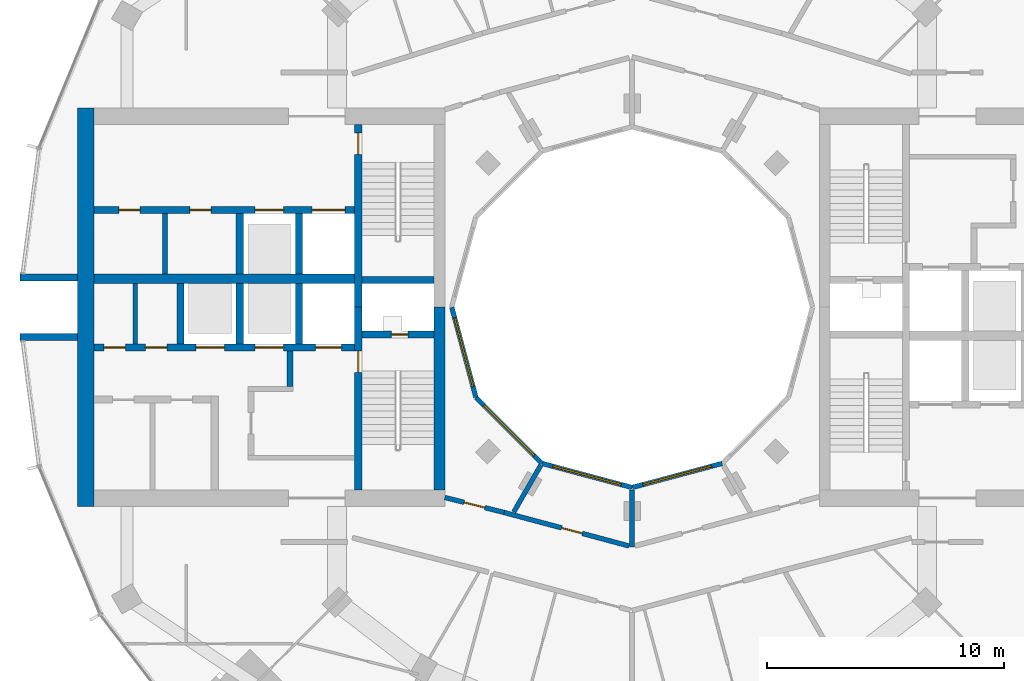
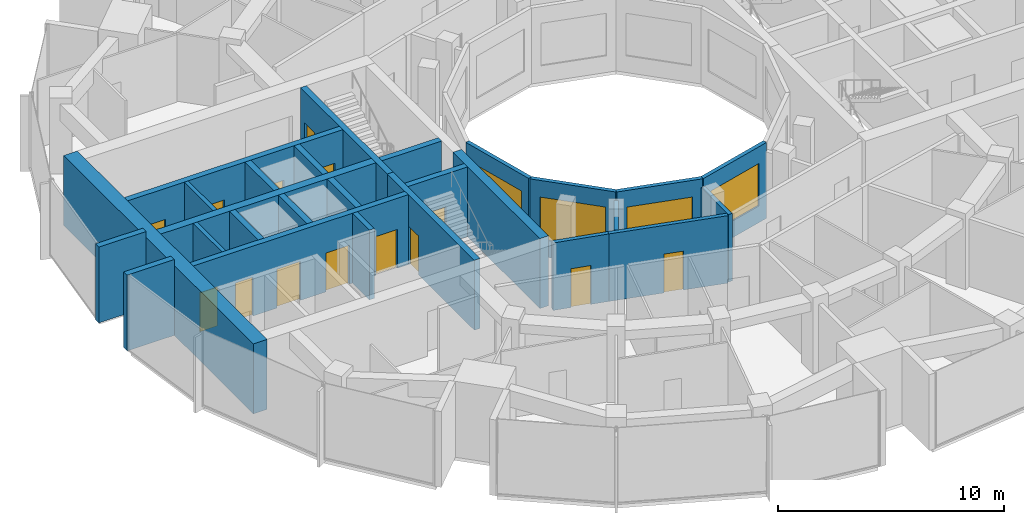
# One storey, part 9 of 15: 27 walls, 14 doors, 4 windows, 18 openings.
"""IFC4 building model written with IfcOpenShell, lengths in metres."""

from ifc_helpers import new_model, si_unit, direction, frame, frame_2d, origin, place, context, subcontext, project, spatial, rectangle, extrude, material, layer, layer_set, type_object, element, fill, save


model = new_model("IFC4")

# Units and contexts
model_context = context("Model", 3, precision=1e-05, world=origin(), true_north=direction((0.0, 1.0)))
body_context = subcontext(model_context, "Body", "Model", "MODEL_VIEW")
ifc_project = project(units=[si_unit("LENGTHUNIT", "METRE"), si_unit("AREAUNIT", "SQUARE_METRE"), si_unit("VOLUMEUNIT", "CUBIC_METRE"), si_unit("PLANEANGLEUNIT", "RADIAN"), si_unit("MASSUNIT", "GRAM", prefix="KILO")], contexts=[model_context])

# Site, building, storey
site_placement = place(None, origin())
site = spatial("IfcSite", under=ifc_project, at=site_placement, CompositionType="ELEMENT")
building_placement = place(site_placement, origin())
building = spatial("IfcBuilding", under=site, at=building_placement, Name="Torre Brocal", CompositionType="ELEMENT")
storey_placement = place(building_placement, frame((0.0, 0.0, 165.89990234375)))
storey = spatial("IfcBuildingStorey", under=building, at=storey_placement, Name="L38", CompositionType="ELEMENT", Elevation=165.89990234375)

# Walls
ifc_material_1 = material(Name="Masonry block", Category="masonry")
ifc_layer_1 = layer(ifc_material_1, 0.199951171875)
ifc_layer_set_1 = layer_set([ifc_layer_1], Name="Masonry block")
wall_type_1 = type_object("IfcWallType", Name="CORE PARTITION 200", PredefinedType="PARTITIONING", material=ifc_layer_set_1)
for number, where, z_axis, x_axis, name in (
    (1, (59.050048828125, 76.0, 0.0), (0.0, 0.0, 1.0), (0.0, -1.0, 0.0), "Wall CP200"),
    (2, (60.300048828125, 78.949951171875, 0.0), (0.0, 0.0, 1.0), (0.0, -1.0, 0.0), "Wall CP200"),
):
    element("IfcWall", number, at=place(storey_placement, frame(where, z_axis=z_axis, x_axis=x_axis)), inside=storey, type_object=wall_type_1, Name=name, PredefinedType="PARTITIONING", context=body_context, shape_type="SweptSolid", body=[
        extrude(rectangle(XDim=2.550048828125, YDim=0.199951171875, at=frame_2d((1.27490234375, 0.0))), origin(), (0.0, 0.0, 1.0), 3.780029296875),
    ])
ifc_material_2 = material(Name="Concrete C70", Category="concrete")
ifc_layer_2 = layer(ifc_material_2, 0.25)
ifc_layer_set_2 = layer_set([ifc_layer_2], Name="Concrete C70")
wall_type_2 = type_object("IfcWallType", Name="CORE WALL 250 C70", PredefinedType="SHEAR", material=ifc_layer_set_2)
wall_1_placement = place(storey_placement, frame((65.574951171875, 73.14990234375, 0.0), z_axis=(0.0, 0.0, 1.0), x_axis=(0.0, -1.0, 0.0)))
element("IfcWall", 3, at=wall_1_placement, inside=storey, type_object=wall_type_2, Name="Wall CW250-70", PredefinedType="SHEAR", context=body_context, shape_type="SweptSolid", body=[
    extrude(rectangle(XDim=1.5, YDim=0.25, at=frame_2d((0.75, 0.0))), origin(), (0.0, 0.0, 1.0), 3.780029296875),
])

# Wall, opening, door
ifc_material_3 = material(Name="Concrete C70", Category="concrete")
ifc_layer_3 = layer(ifc_material_3, 0.300048828125)
ifc_layer_set_3 = layer_set([ifc_layer_3], Name="Concrete C70")
wall_type_3 = type_object("IfcWallType", Name="CORE WALL 300 C70", PredefinedType="SHEAR", material=ifc_layer_set_3)
wall_2_placement = place(storey_placement, frame((68.449951171875, 75.0, 0.0), z_axis=(0.0, 0.0, 1.0), x_axis=(0.0, -1.0, 0.0)))
wall_2 = element("IfcWall", 4, at=wall_2_placement, inside=storey, type_object=wall_type_3, Name="Wall CW300-70", PredefinedType="SHEAR", context=body_context, shape_type="SweptSolid", body=[
    extrude(rectangle(XDim=7.699951171875, YDim=0.300048828125, at=frame_2d((3.85009765625, 0.0))), origin(), (0.0, 0.0, 1.0), 3.780029296875),
])
opening_1_placement = place(wall_2_placement, frame((1.85009765625, 0.0, 0.0)))
opening_1 = element("IfcOpeningElement", 5, at=opening_1_placement, cuts=wall_2, Name="Opening W-D02", PredefinedType="OPENING", context=body_context, shape_type="SweptSolid", body=[
    extrude(rectangle(XDim=0.89990234375, YDim=2.10009765625, at=frame_2d((0.449951171875, 1.050048828125))), frame((0.0, 0.159912109375, 0.0), z_axis=(0.0, -1.0, 0.0), x_axis=(1.0, 0.0, 0.0)), (0.0, 0.0, 1.0), 0.320068359375),
])
ifc_material_4 = material(Name="Steel A653", Category="steel")
door_type_1 = type_object("IfcDoorType", Name="STAIR DOOR FD120 900X2100", OperationType="SINGLE_SWING_RIGHT", PredefinedType="DOOR", material=ifc_material_4)
door_1_placement = place(opening_1_placement, origin())
door_1 = element("IfcDoor", 6, at=door_1_placement, inside=storey, type_object=door_type_1, Name="Door W-D02", OperationType="SINGLE_SWING_LEFT", OverallHeight=2.10009765625, OverallWidth=0.89990234375, PredefinedType="DOOR", context=body_context, shape_type="SweptSolid", body=[
    extrude(rectangle(XDim=0.89990234375, YDim=2.10009765625, at=frame_2d((0.449951171875, 1.050048828125))), frame((0.0, 0.02490234375, 0.0), z_axis=(0.0, -1.0, 0.0), x_axis=(1.0, 0.0, 0.0)), (0.0, 0.0, 1.0), 0.050048828125),
])
fill(opening_1, door_1)

wall_3_placement = place(storey_placement, frame((68.449951171875, 82.699951171875, 0.0), z_axis=(0.0, 0.0, 1.0), x_axis=(0.0, -1.0, 0.0)))
wall_3 = element("IfcWall", 7, at=wall_3_placement, inside=storey, type_object=wall_type_3, Name="Wall CW300-70", PredefinedType="SHEAR", context=body_context, shape_type="SweptSolid", body=[
    extrude(rectangle(XDim=7.699951171875, YDim=0.300048828125, at=frame_2d((3.85009765625, 0.0))), origin(), (0.0, 0.0, 1.0), 3.780029296875),
])
opening_2_placement = place(wall_3_placement, frame((0.35009765625, 0.0, 0.0)))
opening_2 = element("IfcOpeningElement", 8, at=opening_2_placement, cuts=wall_3, Name="Opening W-D03", PredefinedType="OPENING", context=body_context, shape_type="SweptSolid", body=[
    extrude(rectangle(XDim=0.89990234375, YDim=2.10009765625, at=frame_2d((0.449951171875, 1.050048828125))), frame((0.0, 0.159912109375, 0.0), z_axis=(0.0, -1.0, 0.0), x_axis=(1.0, 0.0, 0.0)), (0.0, 0.0, 1.0), 0.320068359375),
])
door_2_placement = place(opening_2_placement, origin())
door_2 = element("IfcDoor", 9, at=door_2_placement, inside=storey, type_object=door_type_1, Name="Door W-D03", OperationType="SINGLE_SWING_LEFT", OverallHeight=2.10009765625, OverallWidth=0.89990234375, PredefinedType="DOOR", context=body_context, shape_type="SweptSolid", body=[
    extrude(rectangle(XDim=0.89990234375, YDim=2.10009765625, at=frame_2d((0.449951171875, 1.050048828125))), frame((0.0, 0.02490234375, 0.0), z_axis=(0.0, -1.0, 0.0), x_axis=(1.0, 0.0, 0.0)), (0.0, 0.0, 1.0), 0.050048828125),
])
fill(opening_2, door_2)

wall_4_placement = place(storey_placement, frame((71.64990234375, 73.85009765625, 0.0), z_axis=(0.0, 0.0, 1.0), x_axis=(-1.0, 0.0, 0.0)))
wall_4 = element("IfcWall", 10, at=wall_4_placement, inside=storey, type_object=wall_type_3, Name="Wall CW300-70", PredefinedType="SHEAR", context=body_context, shape_type="SweptSolid", body=[
    extrude(rectangle(XDim=3.0498046875, YDim=0.300048828125, at=frame_2d((1.52490234375, 0.0))), origin(), (0.0, 0.0, 1.0), 3.780029296875),
])
opening_3_placement = place(wall_4_placement, frame((1.10009765625, 0.0, 0.0)))
opening_3 = element("IfcOpeningElement", 11, at=opening_3_placement, cuts=wall_4, Name="Opening W-D01", PredefinedType="OPENING", context=body_context, shape_type="SweptSolid", body=[
    extrude(rectangle(XDim=0.699951171875, YDim=2.0, at=frame_2d((0.35009765625, 1.0))), frame((0.0, 0.159912109375, 0.0), z_axis=(0.0, -1.0, 0.0), x_axis=(1.0, 0.0, 0.0)), (0.0, 0.0, 1.0), 0.320068359375),
])
ifc_material_5 = material(Name="Steel A653", Category="steel")
door_type_2 = type_object("IfcDoorType", Name="RISER DOOR FD120 700X2000", OperationType="SINGLE_SWING_LEFT", PredefinedType="DOOR", material=ifc_material_5)
door_3_placement = place(opening_3_placement, frame((0.699951171875, 0.0, 0.0), z_axis=(0.0, 0.0, 1.0), x_axis=(-1.0, 0.0, 0.0)))
door_3 = element("IfcDoor", 12, at=door_3_placement, inside=storey, type_object=door_type_2, Name="Door W-D01", OperationType="SINGLE_SWING_RIGHT", OverallHeight=2.0, OverallWidth=0.699951171875, PredefinedType="DOOR", context=body_context, shape_type="SweptSolid", body=[
    extrude(rectangle(XDim=0.699951171875, YDim=2.0, at=frame_2d((0.35009765625, 1.0))), frame((0.0, 0.02490234375, 0.0), z_axis=(0.0, -1.0, 0.0), x_axis=(1.0, 0.0, 0.0)), (0.0, 0.0, 1.0), 0.050048828125),
])
fill(opening_3, door_3)

# Wall
wall_5_placement = place(storey_placement, frame((71.64990234375, 76.14990234375, 0.0), z_axis=(0.0, 0.0, 1.0), x_axis=(-1.0, 0.0, 0.0)))
element("IfcWall", 13, at=wall_5_placement, inside=storey, type_object=wall_type_3, Name="Wall CW300-70", PredefinedType="SHEAR", context=body_context, shape_type="SweptSolid", body=[
    extrude(rectangle(XDim=3.0498046875, YDim=0.300048828125, at=frame_2d((1.52490234375, 0.0))), origin(), (0.0, 0.0, 1.0), 3.780029296875),
])

# Wall, openings, doors
wall_6_placement = place(storey_placement, frame((68.300048828125, 73.300048828125, 0.0), z_axis=(0.0, 0.0, 1.0), x_axis=(-1.0, 0.0, 0.0)))
wall_6 = element("IfcWall", 14, at=wall_6_placement, inside=storey, type_object=wall_type_3, Name="Wall CW300-70", PredefinedType="SHEAR", context=body_context, shape_type="SweptSolid", body=[
    extrude(rectangle(XDim=11.0, YDim=0.300048828125, at=frame_2d((5.5, 0.0))), origin(), (0.0, 0.0, 1.0), 3.780029296875),
])
opening_4_placement = place(wall_6_placement, frame((0.550048828125, 0.0, 0.0)))
opening_4 = element("IfcOpeningElement", 15, at=opening_4_placement, cuts=wall_6, Name="Opening LD", PredefinedType="OPENING", context=body_context, shape_type="SweptSolid", body=[
    extrude(rectangle(XDim=1.10009765625, YDim=2.10009765625, at=frame_2d((0.550048828125, 1.050048828125))), frame((0.0, 0.159912109375, 0.0), z_axis=(0.0, -1.0, 0.0), x_axis=(1.0, 0.0, 0.0)), (0.0, 0.0, 1.0), 0.320068359375),
])
opening_5_placement = place(wall_6_placement, frame((3.0, 0.0, 0.0)))
opening_5 = element("IfcOpeningElement", 16, at=opening_5_placement, cuts=wall_6, Name="Opening LD12", PredefinedType="OPENING", context=body_context, shape_type="SweptSolid", body=[
    extrude(rectangle(XDim=1.199951171875, YDim=2.10009765625, at=frame_2d((0.60009765625, 1.050048828125))), frame((0.0, 0.159912109375, 0.0), z_axis=(0.0, -1.0, 0.0), x_axis=(1.0, 0.0, 0.0)), (0.0, 0.0, 1.0), 0.320068359375),
])
opening_6_placement = place(wall_6_placement, frame((5.5, 0.0, 0.0)))
opening_6 = element("IfcOpeningElement", 17, at=opening_6_placement, cuts=wall_6, Name="Opening LD12", PredefinedType="OPENING", context=body_context, shape_type="SweptSolid", body=[
    extrude(rectangle(XDim=1.199951171875, YDim=2.10009765625, at=frame_2d((0.60009765625, 1.050048828125))), frame((0.0, 0.159912109375, 0.0), z_axis=(0.0, -1.0, 0.0), x_axis=(1.0, 0.0, 0.0)), (0.0, 0.0, 1.0), 0.320068359375),
])
opening_7_placement = place(wall_6_placement, frame((7.925048828125, 0.0, 0.0)))
opening_7 = element("IfcOpeningElement", 18, at=opening_7_placement, cuts=wall_6, Name="Opening W-D04", PredefinedType="OPENING", context=body_context, shape_type="SweptSolid", body=[
    extrude(rectangle(XDim=0.89990234375, YDim=2.10009765625, at=frame_2d((0.449951171875, 1.050048828125))), frame((0.0, 0.159912109375, 0.0), z_axis=(0.0, -1.0, 0.0), x_axis=(1.0, 0.0, 0.0)), (0.0, 0.0, 1.0), 0.320068359375),
])
opening_8_placement = place(wall_6_placement, frame((9.675048828125, 0.0, 0.0)))
opening_8 = element("IfcOpeningElement", 19, at=opening_8_placement, cuts=wall_6, Name="Opening W-D05", PredefinedType="OPENING", context=body_context, shape_type="SweptSolid", body=[
    extrude(rectangle(XDim=0.89990234375, YDim=2.10009765625, at=frame_2d((0.449951171875, 1.050048828125))), frame((0.0, 0.159912109375, 0.0), z_axis=(0.0, -1.0, 0.0), x_axis=(1.0, 0.0, 0.0)), (0.0, 0.0, 1.0), 0.320068359375),
])
ifc_material_6 = material(Name="Stainless steel AISI 316", Category="steel")
door_type_3 = type_object("IfcDoorType", Name="LIFT LANDING DOOR 1100X2100", OperationType="DOUBLE_DOOR_SLIDING", PredefinedType="DOOR", material=ifc_material_6)
door_4_placement = place(opening_4_placement, origin())
door_4 = element("IfcDoor", 20, at=door_4_placement, inside=storey, type_object=door_type_3, Name="Door LD", OperationType="DOUBLE_DOOR_SLIDING", OverallHeight=2.10009765625, OverallWidth=1.10009765625, PredefinedType="DOOR", context=body_context, shape_type="SweptSolid", body=[
    extrude(rectangle(XDim=1.10009765625, YDim=2.10009765625, at=frame_2d((0.550048828125, 1.050048828125))), frame((0.0, 0.02490234375, 0.0), z_axis=(0.0, -1.0, 0.0), x_axis=(1.0, 0.0, 0.0)), (0.0, 0.0, 1.0), 0.050048828125),
])
fill(opening_4, door_4)
ifc_material_7 = material(Name="Stainless steel AISI 316", Category="steel")
door_type_4 = type_object("IfcDoorType", Name="LIFT LANDING DOOR 1200X2100", OperationType="DOUBLE_DOOR_SLIDING", PredefinedType="DOOR", material=ifc_material_7)
door_5_placement = place(opening_5_placement, origin())
door_5 = element("IfcDoor", 21, at=door_5_placement, inside=storey, type_object=door_type_4, Name="Door LD12", OperationType="DOUBLE_DOOR_SLIDING", OverallHeight=2.10009765625, OverallWidth=1.199951171875, PredefinedType="DOOR", context=body_context, shape_type="SweptSolid", body=[
    extrude(rectangle(XDim=1.199951171875, YDim=2.10009765625, at=frame_2d((0.60009765625, 1.050048828125))), frame((0.0, 0.02490234375, 0.0), z_axis=(0.0, -1.0, 0.0), x_axis=(1.0, 0.0, 0.0)), (0.0, 0.0, 1.0), 0.050048828125),
])
fill(opening_5, door_5)
door_6_placement = place(opening_6_placement, origin())
door_6 = element("IfcDoor", 22, at=door_6_placement, inside=storey, type_object=door_type_4, Name="Door LD12", OperationType="DOUBLE_DOOR_SLIDING", OverallHeight=2.10009765625, OverallWidth=1.199951171875, PredefinedType="DOOR", context=body_context, shape_type="SweptSolid", body=[
    extrude(rectangle(XDim=1.199951171875, YDim=2.10009765625, at=frame_2d((0.60009765625, 1.050048828125))), frame((0.0, 0.02490234375, 0.0), z_axis=(0.0, -1.0, 0.0), x_axis=(1.0, 0.0, 0.0)), (0.0, 0.0, 1.0), 0.050048828125),
])
fill(opening_6, door_6)
ifc_material_8 = material(Name="Steel A653", Category="steel")
door_type_5 = type_object("IfcDoorType", Name="ROOM DOOR FD30S 900X2100", OperationType="SINGLE_SWING_LEFT", PredefinedType="DOOR", material=ifc_material_8)
door_7_placement = place(opening_7_placement, frame((0.89990234375, 0.0, 0.0), z_axis=(0.0, 0.0, 1.0), x_axis=(-1.0, 0.0, 0.0)))
door_7 = element("IfcDoor", 23, at=door_7_placement, inside=storey, type_object=door_type_5, Name="Door W-D04", OperationType="SINGLE_SWING_LEFT", OverallHeight=2.10009765625, OverallWidth=0.89990234375, PredefinedType="DOOR", context=body_context, shape_type="SweptSolid", body=[
    extrude(rectangle(XDim=0.89990234375, YDim=2.10009765625, at=frame_2d((0.449951171875, 1.050048828125))), frame((0.0, 0.02490234375, 0.0), z_axis=(0.0, -1.0, 0.0), x_axis=(1.0, 0.0, 0.0)), (0.0, 0.0, 1.0), 0.050048828125),
])
fill(opening_7, door_7)
door_8_placement = place(opening_8_placement, frame((0.89990234375, 0.0, 0.0), z_axis=(0.0, 0.0, 1.0), x_axis=(-1.0, 0.0, 0.0)))
door_8 = element("IfcDoor", 24, at=door_8_placement, inside=storey, type_object=door_type_5, Name="Door W-D05", OperationType="SINGLE_SWING_RIGHT", OverallHeight=2.10009765625, OverallWidth=0.89990234375, PredefinedType="DOOR", context=body_context, shape_type="SweptSolid", body=[
    extrude(rectangle(XDim=0.89990234375, YDim=2.10009765625, at=frame_2d((0.449951171875, 1.050048828125))), frame((0.0, 0.02490234375, 0.0), z_axis=(0.0, -1.0, 0.0), x_axis=(1.0, 0.0, 0.0)), (0.0, 0.0, 1.0), 0.050048828125),
])
fill(opening_8, door_8)

wall_7_placement = place(storey_placement, frame((68.300048828125, 79.10009765625, 0.0), z_axis=(0.0, 0.0, 1.0), x_axis=(-1.0, 0.0, 0.0)))
wall_7 = element("IfcWall", 25, at=wall_7_placement, inside=storey, type_object=wall_type_3, Name="Wall CW300-70", PredefinedType="SHEAR", context=body_context, shape_type="SweptSolid", body=[
    extrude(rectangle(XDim=11.0, YDim=0.300048828125, at=frame_2d((5.5, 0.0))), origin(), (0.0, 0.0, 1.0), 3.780029296875),
])
opening_9_placement = place(wall_7_placement, frame((0.39990234375, 0.0, 0.0)))
opening_9 = element("IfcOpeningElement", 26, at=opening_9_placement, cuts=wall_7, Name="Opening LD14", PredefinedType="OPENING", context=body_context, shape_type="SweptSolid", body=[
    extrude(rectangle(XDim=1.39990234375, YDim=2.10009765625, at=frame_2d((0.699951171875, 1.050048828125))), frame((0.0, 0.159912109375, 0.0), z_axis=(0.0, -1.0, 0.0), x_axis=(1.0, 0.0, 0.0)), (0.0, 0.0, 1.0), 0.320068359375),
])
opening_10_placement = place(wall_7_placement, frame((3.0, 0.0, 0.0)))
opening_10 = element("IfcOpeningElement", 27, at=opening_10_placement, cuts=wall_7, Name="Opening LD12", PredefinedType="OPENING", context=body_context, shape_type="SweptSolid", body=[
    extrude(rectangle(XDim=1.199951171875, YDim=2.10009765625, at=frame_2d((0.60009765625, 1.050048828125))), frame((0.0, 0.159912109375, 0.0), z_axis=(0.0, -1.0, 0.0), x_axis=(1.0, 0.0, 0.0)), (0.0, 0.0, 1.0), 0.320068359375),
])
opening_11_placement = place(wall_7_placement, frame((6.050048828125, 0.0, 0.0)))
opening_11 = element("IfcOpeningElement", 28, at=opening_11_placement, cuts=wall_7, Name="Opening W-D06", PredefinedType="OPENING", context=body_context, shape_type="SweptSolid", body=[
    extrude(rectangle(XDim=0.89990234375, YDim=2.10009765625, at=frame_2d((0.449951171875, 1.050048828125))), frame((0.0, 0.159912109375, 0.0), z_axis=(0.0, -1.0, 0.0), x_axis=(1.0, 0.0, 0.0)), (0.0, 0.0, 1.0), 0.320068359375),
])
opening_12_placement = place(wall_7_placement, frame((9.050048828125, 0.0, 0.0)))
opening_12 = element("IfcOpeningElement", 29, at=opening_12_placement, cuts=wall_7, Name="Opening W-D07", PredefinedType="OPENING", context=body_context, shape_type="SweptSolid", body=[
    extrude(rectangle(XDim=0.89990234375, YDim=2.10009765625, at=frame_2d((0.449951171875, 1.050048828125))), frame((0.0, 0.159912109375, 0.0), z_axis=(0.0, -1.0, 0.0), x_axis=(1.0, 0.0, 0.0)), (0.0, 0.0, 1.0), 0.320068359375),
])
door_9_placement = place(opening_10_placement, origin())
door_9 = element("IfcDoor", 30, at=door_9_placement, inside=storey, type_object=door_type_4, Name="Door LD12", OperationType="DOUBLE_DOOR_SLIDING", OverallHeight=2.10009765625, OverallWidth=1.199951171875, PredefinedType="DOOR", context=body_context, shape_type="SweptSolid", body=[
    extrude(rectangle(XDim=1.199951171875, YDim=2.10009765625, at=frame_2d((0.60009765625, 1.050048828125))), frame((0.0, 0.02490234375, 0.0), z_axis=(0.0, -1.0, 0.0), x_axis=(1.0, 0.0, 0.0)), (0.0, 0.0, 1.0), 0.050048828125),
])
fill(opening_10, door_9)
ifc_material_9 = material(Name="Stainless steel AISI 316", Category="steel")
door_type_6 = type_object("IfcDoorType", Name="LIFT LANDING DOOR 1400X2100", OperationType="DOUBLE_DOOR_SLIDING", PredefinedType="DOOR", material=ifc_material_9)
door_10_placement = place(opening_9_placement, origin())
door_10 = element("IfcDoor", 31, at=door_10_placement, inside=storey, type_object=door_type_6, Name="Door LD14", OperationType="DOUBLE_DOOR_SLIDING", OverallHeight=2.10009765625, OverallWidth=1.39990234375, PredefinedType="DOOR", context=body_context, shape_type="SweptSolid", body=[
    extrude(rectangle(XDim=1.39990234375, YDim=2.10009765625, at=frame_2d((0.699951171875, 1.050048828125))), frame((0.0, 0.02490234375, 0.0), z_axis=(0.0, -1.0, 0.0), x_axis=(1.0, 0.0, 0.0)), (0.0, 0.0, 1.0), 0.050048828125),
])
fill(opening_9, door_10)
door_11_placement = place(opening_11_placement, origin())
door_11 = element("IfcDoor", 32, at=door_11_placement, inside=storey, type_object=door_type_5, Name="Door W-D06", OperationType="SINGLE_SWING_RIGHT", OverallHeight=2.10009765625, OverallWidth=0.89990234375, PredefinedType="DOOR", context=body_context, shape_type="SweptSolid", body=[
    extrude(rectangle(XDim=0.89990234375, YDim=2.10009765625, at=frame_2d((0.449951171875, 1.050048828125))), frame((0.0, 0.02490234375, 0.0), z_axis=(0.0, -1.0, 0.0), x_axis=(1.0, 0.0, 0.0)), (0.0, 0.0, 1.0), 0.050048828125),
])
fill(opening_11, door_11)
door_12_placement = place(opening_12_placement, origin())
door_12 = element("IfcDoor", 33, at=door_12_placement, inside=storey, type_object=door_type_5, Name="Door W-D07", OperationType="SINGLE_SWING_LEFT", OverallHeight=2.10009765625, OverallWidth=0.89990234375, PredefinedType="DOOR", context=body_context, shape_type="SweptSolid", body=[
    extrude(rectangle(XDim=0.89990234375, YDim=2.10009765625, at=frame_2d((0.449951171875, 1.050048828125))), frame((0.0, 0.02490234375, 0.0), z_axis=(0.0, -1.0, 0.0), x_axis=(1.0, 0.0, 0.0)), (0.0, 0.0, 1.0), 0.050048828125),
])
fill(opening_12, door_12)

# Walls
for number, where, z_axis, x_axis, name in (
    (34, (65.949951171875, 76.0, 0.0), (0.0, 0.0, 1.0), (0.0, -1.0, 0.0), "Wall CW300-70"),
    (35, (63.449951171875, 76.0, 0.0), (0.0, 0.0, 1.0), (0.0, -1.0, 0.0), "Wall CW300-70"),
    (36, (60.949951171875, 76.0, 0.0), (0.0, 0.0, 1.0), (0.0, -1.0, 0.0), "Wall CW300-70"),
    (37, (65.949951171875, 78.949951171875, 0.0), (0.0, 0.0, 1.0), (0.0, -1.0, 0.0), "Wall CW300-70"),
    (38, (63.449951171875, 78.949951171875, 0.0), (0.0, 0.0, 1.0), (0.0, -1.0, 0.0), "Wall CW300-70"),
):
    element("IfcWall", number, at=place(storey_placement, frame(where, z_axis=z_axis, x_axis=x_axis)), inside=storey, type_object=wall_type_3, Name=name, PredefinedType="SHEAR", context=body_context, shape_type="SweptSolid", body=[
        extrude(rectangle(XDim=2.550048828125, YDim=0.300048828125, at=frame_2d((1.27490234375, 0.0))), origin(), (0.0, 0.0, 1.0), 3.780029296875),
    ])
ifc_material_10 = material(Name="Concrete C70", Category="concrete")
ifc_layer_4 = layer(ifc_material_10, 0.39990234375)
ifc_layer_set_4 = layer_set([ifc_layer_4], Name="Concrete C70")
wall_type_4 = type_object("IfcWallType", Name="CORE WALL 400 C70", PredefinedType="SHEAR", material=ifc_layer_set_4)
wall_8_placement = place(storey_placement, frame((68.300048828125, 76.199951171875, 0.0), z_axis=(0.0, 0.0, 1.0), x_axis=(-1.0, 0.0, 0.0)))
element("IfcWall", 39, at=wall_8_placement, inside=storey, type_object=wall_type_4, Name="Wall CW400-70", PredefinedType="SHEAR", context=body_context, shape_type="SweptSolid", body=[
    extrude(rectangle(XDim=11.0, YDim=0.39990234375, at=frame_2d((5.5, 0.0))), origin(), (0.0, 0.0, 1.0), 3.780029296875),
])
ifc_material_11 = material(Name="Concrete C70", Category="concrete")
ifc_layer_5 = layer(ifc_material_11, 0.449951171875)
ifc_layer_set_5 = layer_set([ifc_layer_5], Name="Concrete C70")
wall_type_5 = type_object("IfcWallType", Name="CORE WALL 450 C70", PredefinedType="SHEAR", material=ifc_layer_set_5)
wall_9_placement = place(storey_placement, frame((71.875, 75.0, 0.0), z_axis=(0.0, 0.0, 1.0), x_axis=(0.0, -1.0, 0.0)))
element("IfcWall", 40, at=wall_9_placement, inside=storey, type_object=wall_type_5, Name="Wall CW450-70", PredefinedType="SHEAR", context=body_context, shape_type="SweptSolid", body=[
    extrude(rectangle(XDim=7.699951171875, YDim=0.449951171875, at=frame_2d((3.85009765625, 0.0))), origin(), (0.0, 0.0, 1.0), 3.780029296875),
])
ifc_material_12 = material(Name="Concrete C70", Category="concrete")
ifc_layer_6 = layer(ifc_material_12, 0.699951171875)
ifc_layer_set_6 = layer_set([ifc_layer_6], Name="Concrete C70")
wall_type_6 = type_object("IfcWallType", Name="CORE WALL 700 C70", PredefinedType="SHEAR", material=ifc_layer_set_6)
wall_10_placement = place(storey_placement, frame((56.949951171875, 83.39990234375, 0.0), z_axis=(0.0, 0.0, 1.0), x_axis=(0.0, -1.0, 0.0)))
element("IfcWall", 41, at=wall_10_placement, inside=storey, type_object=wall_type_6, Name="Wall CW700-70", PredefinedType="SHEAR", context=body_context, shape_type="SweptSolid", body=[
    extrude(rectangle(XDim=16.7998046875, YDim=0.699951171875, at=frame_2d((8.39990234375, 0.0))), origin(), (0.0, 0.0, 1.0), 3.780029296875),
])
ifc_material_13 = material(Name="Concrete C70", Category="concrete")
ifc_layer_7 = layer(ifc_material_13, 0.300048828125)
ifc_layer_set_7 = layer_set([ifc_layer_7], Name="Concrete C70")
wall_type_7 = type_object("IfcWallType", Name="NOTCH RETURN WALL 300 C70", PredefinedType="NOTDEFINED", material=ifc_layer_set_7)
for number, where, z_axis, x_axis, name in (
    (42, (56.60009765625, 76.25, 0.0), (0.0, 0.0, 1.0), (-1.0, 0.0, 0.0), "NOTCH RETURN WALL"),
    (43, (56.60009765625, 73.75, 0.0), (0.0, 0.0, 1.0), (-1.0, 0.0, 0.0), "NOTCH RETURN WALL"),
):
    element("IfcWall", number, at=place(storey_placement, frame(where, z_axis=z_axis, x_axis=x_axis)), inside=storey, type_object=wall_type_7, Name=name, PredefinedType="NOTDEFINED", context=body_context, shape_type="SweptSolid", body=[
        extrude(rectangle(XDim=2.415771484375, YDim=0.300048828125, at=frame_2d((1.2080078125, 0.0))), origin(), (0.0, 0.0, 1.0), 4.10009765625),
    ])

# Wall, opening, door
ifc_material_14 = material(Name="Gypsum board", Category="Gypsum")
ifc_layer_8 = layer(ifc_material_14, 0.199951171875)
ifc_layer_set_8 = layer_set([ifc_layer_8], Name="Gypsum board")
wall_type_8 = type_object("IfcWallType", Name="PARTITION 200 EI60", PredefinedType="PARTITIONING", material=ifc_layer_set_8)
wall_11_placement = place(storey_placement, frame((72.10009765625, 66.97509765625, 0.0), z_axis=(0.0, 0.0, 1.0), x_axis=(0.969471314457, -0.245204752086, 0.0)))
wall_11 = element("IfcWall", 44, at=wall_11_placement, inside=storey, type_object=wall_type_8, Name="CORRIDOR WALL", PredefinedType="PARTITIONING", context=body_context, shape_type="SweptSolid", body=[
    extrude(rectangle(XDim=2.581787109375, YDim=0.199951171875, at=frame_2d((1.291015625, 0.0))), origin(), (0.0, 0.0, 1.0), 3.650146484375),
])
opening_13_placement = place(wall_11_placement, frame((0.8408203125, 0.0, 0.0)))
opening_13 = element("IfcOpeningElement", 45, at=opening_13_placement, cuts=wall_11, Name="Opening R01-D38", PredefinedType="OPENING", context=body_context, shape_type="SweptSolid", body=[
    extrude(rectangle(XDim=0.89990234375, YDim=2.10009765625, at=frame_2d((0.449951171875, 1.050048828125))), frame((0.0, 0.10986328125, 0.0), z_axis=(0.0, -1.0, 0.0), x_axis=(1.0, 0.0, 0.0)), (0.0, 0.0, 1.0), 0.219970703125),
])
ifc_material_15 = material(Name="Timber", Category="wood")
door_type_7 = type_object("IfcDoorType", Name="ROOM DOOR 900X2100", OperationType="SINGLE_SWING_LEFT", PredefinedType="DOOR", material=ifc_material_15)
door_13_placement = place(opening_13_placement, origin())
door_13 = element("IfcDoor", 46, at=door_13_placement, inside=storey, type_object=door_type_7, Name="R01-D38", OperationType="SINGLE_SWING_LEFT", OverallHeight=2.10009765625, OverallWidth=0.89990234375, PredefinedType="DOOR", context=body_context, shape_type="SweptSolid", body=[
    extrude(rectangle(XDim=0.89990234375, YDim=2.10009765625, at=frame_2d((0.449951171875, 1.050048828125))), frame((0.0, 0.02490234375, 0.0), z_axis=(0.0, -1.0, 0.0), x_axis=(1.0, 0.0, 0.0)), (0.0, 0.0, 1.0), 0.050048828125),
])
fill(opening_13, door_13)

wall_12_placement = place(storey_placement, frame((74.60302734375, 66.342041015625, 0.0), z_axis=(0.0, 0.0, 1.0), x_axis=(0.965920893652, -0.258837453254, 0.0)))
wall_12 = element("IfcWall", 47, at=wall_12_placement, inside=storey, type_object=wall_type_8, Name="CORRIDOR WALL", PredefinedType="PARTITIONING", context=body_context, shape_type="SweptSolid", body=[
    extrude(rectangle(XDim=5.45751953125, YDim=0.199951171875, at=frame_2d((2.728759765625, 0.0))), origin(), (0.0, 0.0, 1.0), 3.650146484375),
])
opening_14_placement = place(wall_12_placement, frame((2.512451171875, 0.0, 0.0)))
opening_14 = element("IfcOpeningElement", 48, at=opening_14_placement, cuts=wall_12, Name="Opening R01-D37", PredefinedType="OPENING", context=body_context, shape_type="SweptSolid", body=[
    extrude(rectangle(XDim=0.89990234375, YDim=2.10009765625, at=frame_2d((0.449951171875, 1.050048828125))), frame((0.0, 0.10986328125, 0.0), z_axis=(0.0, -1.0, 0.0), x_axis=(1.0, 0.0, 0.0)), (0.0, 0.0, 1.0), 0.219970703125),
])
door_14_placement = place(opening_14_placement, origin())
door_14 = element("IfcDoor", 49, at=door_14_placement, inside=storey, type_object=door_type_7, Name="R01-D37", OperationType="SINGLE_SWING_LEFT", OverallHeight=2.10009765625, OverallWidth=0.89990234375, PredefinedType="DOOR", context=body_context, shape_type="SweptSolid", body=[
    extrude(rectangle(XDim=0.89990234375, YDim=2.10009765625, at=frame_2d((0.449951171875, 1.050048828125))), frame((0.0, 0.02490234375, 0.0), z_axis=(0.0, -1.0, 0.0), x_axis=(1.0, 0.0, 0.0)), (0.0, 0.0, 1.0), 0.050048828125),
])
fill(opening_14, door_14)

# Walls
wall_13_placement = place(storey_placement, frame((75.010009765625, 66.3642578125, 0.0), z_axis=(0.0, 0.0, 1.0), x_axis=(0.50017749597, 0.865922902183, 0.0)))
element("IfcWall", 50, at=wall_13_placement, inside=storey, type_object=wall_type_8, Name="PARTY PARTITION", PredefinedType="PARTITIONING", context=body_context, shape_type="SweptSolid", body=[
    extrude(rectangle(XDim=2.275634765625, YDim=0.199951171875, at=frame_2d((1.1376953125, 0.0))), origin(), (0.0, 0.0, 1.0), 3.650146484375),
])
wall_14_placement = place(storey_placement, frame((80.0, 64.89599609375, 0.0), z_axis=(0.0, 0.0, 1.0), x_axis=(0.0, 1.0, 0.0)))
element("IfcWall", 51, at=wall_14_placement, inside=storey, type_object=wall_type_8, Name="SERVICE ROOM WALL", PredefinedType="PARTITIONING", context=body_context, shape_type="SweptSolid", body=[
    extrude(rectangle(XDim=2.405029296875, YDim=0.199951171875, at=frame_2d((1.20263671875, 0.0))), origin(), (0.0, 0.0, 1.0), 3.650146484375),
])

# Wall, opening, window
ifc_material_16 = material(Name="Concrete C40", Category="concrete")
ifc_layer_9 = layer(ifc_material_16, 0.199951171875)
ifc_layer_set_9 = layer_set([ifc_layer_9], Name="Concrete C40")
wall_type_9 = type_object("IfcWallType", Name="WELL FACADE WALL 200", PredefinedType="NOTDEFINED", material=ifc_layer_set_9)
wall_15_placement = place(storey_placement, frame((72.396484375, 75.0, 0.0), z_axis=(0.0, 0.0, 1.0), x_axis=(0.258789828301, -0.965933654434, 0.0)))
wall_15 = element("IfcWall", 52, at=wall_15_placement, inside=storey, type_object=wall_type_9, Name="WELL FACADE WALL", PredefinedType="NOTDEFINED", context=body_context, shape_type="SweptSolid", body=[
    extrude(rectangle(XDim=3.935791015625, YDim=0.199951171875, at=frame_2d((1.9677734375, 0.0))), origin(), (0.0, 0.0, 1.0), 4.10009765625),
])
opening_15_placement = place(wall_15_placement, frame((0.468017578125, 0.0, 0.89990234375)))
opening_15 = element("IfcOpeningElement", 53, at=opening_15_placement, cuts=wall_15, Name="Opening W1", PredefinedType="OPENING", context=body_context, shape_type="SweptSolid", body=[
    extrude(rectangle(XDim=3.0, YDim=2.300048828125, at=frame_2d((1.5, 1.14990234375))), frame((0.0, 0.10986328125, 0.0), z_axis=(0.0, -1.0, 0.0), x_axis=(1.0, 0.0, 0.0)), (0.0, 0.0, 1.0), 0.219970703125),
])
ifc_material_17 = material(Name="Aluminium and glass", Category="aluminium")
window_type = type_object("IfcWindowType", Name="WELL WINDOW 3000X2300", PartitioningType="SINGLE_PANEL", PredefinedType="WINDOW", material=ifc_material_17)
window_1_placement = place(opening_15_placement, origin())
window_1 = element("IfcWindow", 54, at=window_1_placement, inside=storey, type_object=window_type, Name="WELL WINDOW 3000X2300", OverallHeight=2.300048828125, OverallWidth=3.0, PartitioningType="SINGLE_PANEL", PredefinedType="WINDOW", context=body_context, shape_type="SweptSolid", body=[
    extrude(rectangle(XDim=3.0, YDim=2.300048828125, at=frame_2d((1.5, 1.14990234375))), frame((0.0, 0.030029296875, 0.0), z_axis=(0.0, -1.0, 0.0), x_axis=(1.0, 0.0, 0.0)), (0.0, 0.0, 1.0), 0.06005859375),
])
fill(opening_15, window_1)

wall_16_placement = place(storey_placement, frame((73.4150390625, 71.1982421875, 0.0), z_axis=(0.0, 0.0, 1.0), x_axis=(0.707106781187, -0.707106781187, 0.0)))
wall_16 = element("IfcWall", 55, at=wall_16_placement, inside=storey, type_object=wall_type_9, Name="WELL FACADE WALL", PredefinedType="NOTDEFINED", context=body_context, shape_type="SweptSolid", body=[
    extrude(rectangle(XDim=3.93603515625, YDim=0.199951171875, at=frame_2d((1.968017578125, 0.0))), origin(), (0.0, 0.0, 1.0), 4.10009765625),
])
opening_16_placement = place(wall_16_placement, frame((0.468017578125, 0.0, 0.89990234375)))
opening_16 = element("IfcOpeningElement", 56, at=opening_16_placement, cuts=wall_16, Name="Opening W1", PredefinedType="OPENING", context=body_context, shape_type="SweptSolid", body=[
    extrude(rectangle(XDim=3.0, YDim=2.300048828125, at=frame_2d((1.5, 1.14990234375))), frame((0.0, 0.10986328125, 0.0), z_axis=(0.0, -1.0, 0.0), x_axis=(1.0, 0.0, 0.0)), (0.0, 0.0, 1.0), 0.219970703125),
])
window_2_placement = place(opening_16_placement, origin())
window_2 = element("IfcWindow", 57, at=window_2_placement, inside=storey, type_object=window_type, Name="WELL WINDOW 3000X2300", OverallHeight=2.300048828125, OverallWidth=3.0, PartitioningType="SINGLE_PANEL", PredefinedType="WINDOW", context=body_context, shape_type="SweptSolid", body=[
    extrude(rectangle(XDim=3.0, YDim=2.300048828125, at=frame_2d((1.5, 1.14990234375))), frame((0.0, 0.030029296875, 0.0), z_axis=(0.0, -1.0, 0.0), x_axis=(1.0, 0.0, 0.0)), (0.0, 0.0, 1.0), 0.06005859375),
])
fill(opening_16, window_2)

wall_17_placement = place(storey_placement, frame((76.1982421875, 68.4150390625, 0.0), z_axis=(0.0, 0.0, 1.0), x_axis=(0.965933654434, -0.258789828301, 0.0)))
wall_17 = element("IfcWall", 58, at=wall_17_placement, inside=storey, type_object=wall_type_9, Name="WELL FACADE WALL", PredefinedType="NOTDEFINED", context=body_context, shape_type="SweptSolid", body=[
    extrude(rectangle(XDim=3.935791015625, YDim=0.199951171875, at=frame_2d((1.9677734375, 0.0))), origin(), (0.0, 0.0, 1.0), 4.10009765625),
])
opening_17_placement = place(wall_17_placement, frame((0.468017578125, 0.0, 0.89990234375)))
opening_17 = element("IfcOpeningElement", 59, at=opening_17_placement, cuts=wall_17, Name="Opening W1", PredefinedType="OPENING", context=body_context, shape_type="SweptSolid", body=[
    extrude(rectangle(XDim=3.0, YDim=2.300048828125, at=frame_2d((1.5, 1.14990234375))), frame((0.0, 0.10986328125, 0.0), z_axis=(0.0, -1.0, 0.0), x_axis=(1.0, 0.0, 0.0)), (0.0, 0.0, 1.0), 0.219970703125),
])
window_3_placement = place(opening_17_placement, origin())
window_3 = element("IfcWindow", 60, at=window_3_placement, inside=storey, type_object=window_type, Name="WELL WINDOW 3000X2300", OverallHeight=2.300048828125, OverallWidth=3.0, PartitioningType="SINGLE_PANEL", PredefinedType="WINDOW", context=body_context, shape_type="SweptSolid", body=[
    extrude(rectangle(XDim=3.0, YDim=2.300048828125, at=frame_2d((1.5, 1.14990234375))), frame((0.0, 0.030029296875, 0.0), z_axis=(0.0, -1.0, 0.0), x_axis=(1.0, 0.0, 0.0)), (0.0, 0.0, 1.0), 0.06005859375),
])
fill(opening_17, window_3)

wall_18_placement = place(storey_placement, frame((80.0, 67.396484375, 0.0), z_axis=(0.0, 0.0, 1.0), x_axis=(0.965933654434, 0.258789828301, 0.0)))
wall_18 = element("IfcWall", 61, at=wall_18_placement, inside=storey, type_object=wall_type_9, Name="WELL FACADE WALL", PredefinedType="NOTDEFINED", context=body_context, shape_type="SweptSolid", body=[
    extrude(rectangle(XDim=3.935791015625, YDim=0.199951171875, at=frame_2d((1.9677734375, 0.0))), origin(), (0.0, 0.0, 1.0), 4.10009765625),
])
opening_18_placement = place(wall_18_placement, frame((0.468017578125, 0.0, 0.89990234375)))
opening_18 = element("IfcOpeningElement", 62, at=opening_18_placement, cuts=wall_18, Name="Opening W1", PredefinedType="OPENING", context=body_context, shape_type="SweptSolid", body=[
    extrude(rectangle(XDim=3.0, YDim=2.300048828125, at=frame_2d((1.5, 1.14990234375))), frame((0.0, 0.10986328125, 0.0), z_axis=(0.0, -1.0, 0.0), x_axis=(1.0, 0.0, 0.0)), (0.0, 0.0, 1.0), 0.219970703125),
])
window_4_placement = place(opening_18_placement, origin())
window_4 = element("IfcWindow", 63, at=window_4_placement, inside=storey, type_object=window_type, Name="WELL WINDOW 3000X2300", OverallHeight=2.300048828125, OverallWidth=3.0, PartitioningType="SINGLE_PANEL", PredefinedType="WINDOW", context=body_context, shape_type="SweptSolid", body=[
    extrude(rectangle(XDim=3.0, YDim=2.300048828125, at=frame_2d((1.5, 1.14990234375))), frame((0.0, 0.030029296875, 0.0), z_axis=(0.0, -1.0, 0.0), x_axis=(1.0, 0.0, 0.0)), (0.0, 0.0, 1.0), 0.06005859375),
])
fill(opening_18, window_4)

save(model, "model.ifc")
